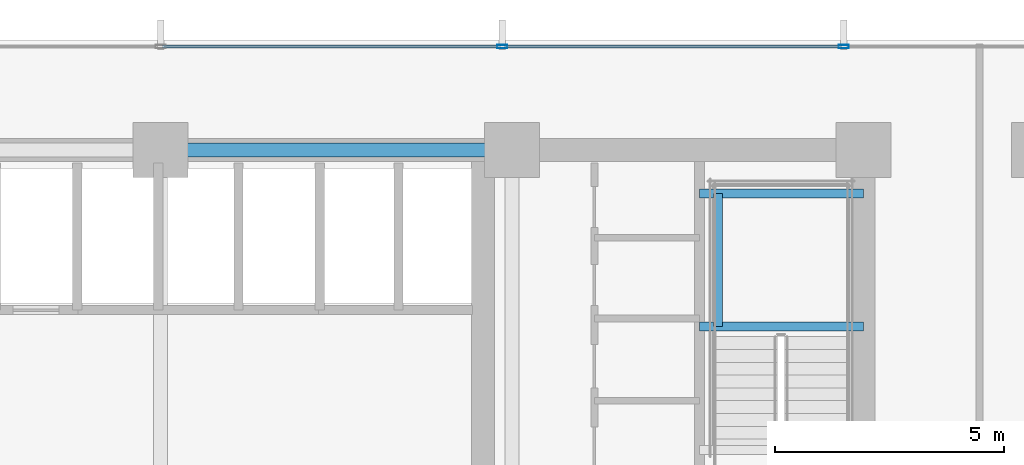
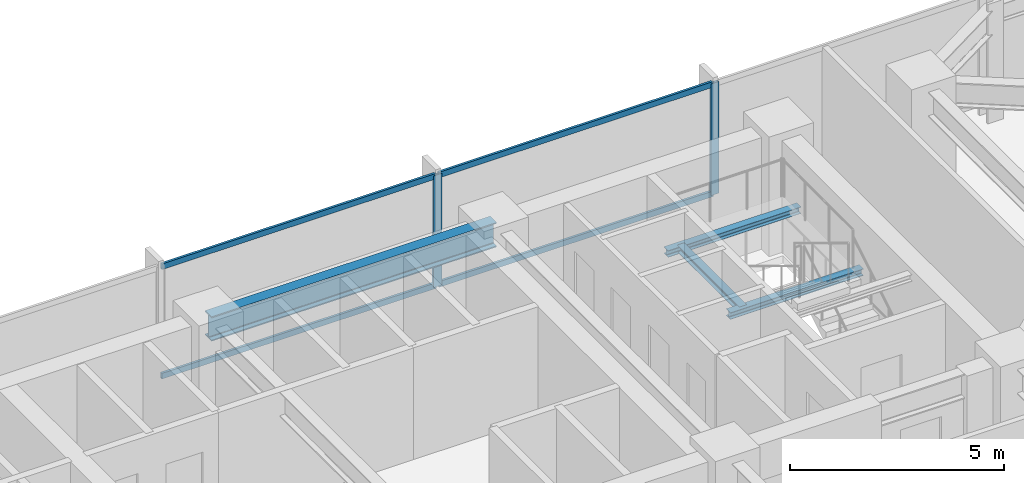
# One storey, part 19 of 32: 6 members, 4 beams, 1 element without a shape of its own.
"""IFC4 building model written with IfcOpenShell, lengths in metres."""

from ifc_helpers import new_model, si_unit, direction, frame, origin, origin_2d, place, context, subcontext, project, spatial, hollow_rectangle, i_section, extrude, material, material_profile, profile_set, type_object, element, aggregate, save


model = new_model("IFC4")

# Units and contexts
model_context = context("Model", 3, precision=1e-05, world=origin(), true_north=direction((0.0, 1.0)))
body_context = subcontext(model_context, "Body", "Model", "MODEL_VIEW")
ifc_project = project(units=[si_unit("LENGTHUNIT", "METRE"), si_unit("AREAUNIT", "SQUARE_METRE"), si_unit("VOLUMEUNIT", "CUBIC_METRE"), si_unit("PLANEANGLEUNIT", "RADIAN"), si_unit("MASSUNIT", "GRAM", prefix="KILO")], contexts=[model_context])

# Site, building, storey
site_placement = place(None, origin())
site = spatial("IfcSite", under=ifc_project, at=site_placement, CompositionType="ELEMENT")
building_placement = place(site_placement, origin())
building = spatial("IfcBuilding", under=site, at=building_placement, Name="Yelkora Congress Tower", CompositionType="ELEMENT")
storey_placement = place(building_placement, frame((0.0, 0.0, 50.800048828125)))
storey = spatial("IfcBuildingStorey", under=building, at=storey_placement, Name="L12", CompositionType="ELEMENT", Elevation=50.800048828125)

# Beams
ifc_material_1 = material(Name="Steel S355J2", Category="steel")
ifc_material_profile_1 = material_profile(ifc_material_1, i_section(OverallWidth=0.300048828125, OverallDepth=0.699951171875, WebThickness=0.01708984375, FlangeThickness=0.031982421875, FilletRadius=0.027099609375, at=origin_2d()), Name="HEB 700")
ifc_profile_set_1 = profile_set([ifc_material_profile_1], Name="Steel S355J2")
beam_type_1 = type_object("IfcBeamType", Name="BM-GIRD-HEB700", PredefinedType="BEAM", material=ifc_profile_set_1)
beam_1_placement = place(storey_placement, frame((38.39990234375, 46.199951171875, 2.829833984375), z_axis=(1.0, 0.0, 0.0), x_axis=(0.0, 1.0, 0.0)))
element("IfcBeam", 1, at=beam_1_placement, inside=storey, type_object=beam_type_1, Name="L12 Core North Girder 4", PredefinedType="BEAM", context=body_context, shape_type="SweptSolid", body=[
    extrude(i_section(OverallWidth=0.300048828125, OverallDepth=0.699951171875, WebThickness=0.01708984375, FlangeThickness=0.031982421875, FilletRadius=0.027099609375, at=origin_2d()), origin(), (0.0, 0.0, 1.0), 7.68017578125),
])
ifc_material_profile_2 = material_profile(ifc_material_1, i_section(OverallWidth=0.199951171875, OverallDepth=0.18994140625, WebThickness=0.006591796875, FlangeThickness=0.010009765625, FilletRadius=0.01806640625, at=origin_2d()), Name="HEA 200")
ifc_profile_set_2 = profile_set([ifc_material_profile_2], Name="Steel S355J2")
beam_type_2 = type_object("IfcBeamType", Name="BM-LAND-HEA200", PredefinedType="BEAM", material=ifc_profile_set_2)
for number, where, z_axis, x_axis, name in (
    (2, (50.179931640625, 42.340087890625, 1.384521484375), (1.0, 0.0, 0.0), (0.0, 1.0, 0.0), "ST-02 L12 Landing Header Beam 1S"),
    (3, (50.179931640625, 45.25, 1.384521484375), (1.0, 0.0, 0.0), (0.0, 1.0, 0.0), "ST-02 L12 Landing Header Beam 1N"),
):
    element("IfcBeam", number, at=place(storey_placement, frame(where, z_axis=z_axis, x_axis=x_axis)), inside=storey, type_object=beam_type_2, Name=name, PredefinedType="BEAM", context=body_context, shape_type="SweptSolid", body=[
        extrude(i_section(OverallWidth=0.199951171875, OverallDepth=0.18994140625, WebThickness=0.006591796875, FlangeThickness=0.010009765625, FilletRadius=0.01806640625, at=origin_2d()), origin(), (0.0, 0.0, 1.0), 3.580078125),
    ])
beam_2_placement = place(storey_placement, frame((50.580078125, 42.340087890625, 1.384521484375), z_axis=(0.0, 1.0, 0.0), x_axis=(-1.0, 0.0, 0.0)))
element("IfcBeam", 4, at=beam_2_placement, inside=storey, type_object=beam_type_2, Name="ST-02 L12 Landing Trimmer Beam 1M", PredefinedType="BEAM", context=body_context, shape_type="SweptSolid", body=[
    extrude(i_section(OverallWidth=0.199951171875, OverallDepth=0.18994140625, WebThickness=0.006591796875, FlangeThickness=0.010009765625, FilletRadius=0.01806640625, at=origin_2d()), origin(), (0.0, 0.0, 1.0), 2.909912109375),
])

# Curtain wall, members
ifc_material_2 = material(Name="Anodised aluminium and insulated glass", Category="aluminium")
curtain_wall_type = type_object("IfcCurtainWallType", Name="CW-SYS-B1", PredefinedType="NOTDEFINED", material=ifc_material_2)
curtain_wall_placement = place(storey_placement, origin())
curtain_wall = element("IfcCurtainWall", 5, at=curtain_wall_placement, inside=storey, type_object=curtain_wall_type, Name="L12 Unitised Curtain Wall 10", PredefinedType="NOTDEFINED")
ifc_material_3 = material(Name="Anodised aluminium 6063-T6", Category="aluminium")
ifc_material_profile_3 = material_profile(ifc_material_3, hollow_rectangle(XDim=0.074951171875, YDim=0.219970703125, WallThickness=0.0048828125, at=origin_2d()), Name="ALU 75x220x5")
ifc_profile_set_3 = profile_set([ifc_material_profile_3], Name="Anodised aluminium 6063-T6")
member_type_1 = type_object("IfcMemberType", Name="MEM-ML-B1", PredefinedType="MULLION", material=ifc_profile_set_3)
member_1_placement = place(storey_placement, frame((45.864990234375, 48.4599609375, 0.0), z_axis=(0.0, 0.0, 1.0), x_axis=(0.0, 1.0, 0.0)))
member_1 = element("IfcMember", 6, at=member_1_placement, type_object=member_type_1, Name="CW-B1 mullion 6", PredefinedType="MULLION", context=body_context, shape_type="SweptSolid", body=[
    extrude(hollow_rectangle(XDim=0.074951171875, YDim=0.219970703125, WallThickness=0.0048828125, at=origin_2d()), origin(), (0.0, 0.0, 1.0), 3.179931640625),
])
member_2_placement = place(storey_placement, frame((53.330078125, 48.4599609375, 0.0), z_axis=(0.0, 0.0, 1.0), x_axis=(0.0, 1.0, 0.0)))
member_2 = element("IfcMember", 7, at=member_2_placement, type_object=member_type_1, Name="CW-B1 mullion 7", PredefinedType="MULLION", context=body_context, shape_type="SweptSolid", body=[
    extrude(hollow_rectangle(XDim=0.074951171875, YDim=0.219970703125, WallThickness=0.0048828125, at=origin_2d()), origin(), (0.0, 0.0, 1.0), 3.179931640625),
])
ifc_material_profile_4 = material_profile(ifc_material_3, hollow_rectangle(XDim=0.06494140625, YDim=0.159912109375, WallThickness=0.00390625, at=origin_2d()), Name="ALU 65x160x4")
ifc_profile_set_4 = profile_set([ifc_material_profile_4], Name="Anodised aluminium 6063-T6")
member_type_2 = type_object("IfcMemberType", Name="MEM-TR-B1", PredefinedType="USERDEFINED", material=ifc_profile_set_4)
member_3_placement = place(storey_placement, frame((38.4375, 48.4599609375, 0.032470703125), z_axis=(1.0, 0.0, 0.0), x_axis=(0.0, 1.0, 0.0)))
member_3 = element("IfcMember", 8, at=member_3_placement, type_object=member_type_2, Name="CW-B1 transom 5.1", ObjectType="TRANSOM", PredefinedType="USERDEFINED", context=body_context, shape_type="SweptSolid", body=[
    extrude(hollow_rectangle(XDim=0.06494140625, YDim=0.159912109375, WallThickness=0.00390625, at=origin_2d()), origin(), (0.0, 0.0, 1.0), 7.389892578125),
])
member_4_placement = place(storey_placement, frame((38.4375, 48.4599609375, 3.1474609375), z_axis=(1.0, 0.0, 0.0), x_axis=(0.0, 1.0, 0.0)))
member_4 = element("IfcMember", 9, at=member_4_placement, type_object=member_type_2, Name="CW-B1 transom 5.2", ObjectType="TRANSOM", PredefinedType="USERDEFINED", context=body_context, shape_type="SweptSolid", body=[
    extrude(hollow_rectangle(XDim=0.06494140625, YDim=0.159912109375, WallThickness=0.00390625, at=origin_2d()), origin(), (0.0, 0.0, 1.0), 7.389892578125),
])
member_5_placement = place(storey_placement, frame((45.902587890625, 48.4599609375, 0.032470703125), z_axis=(1.0, 0.0, 0.0), x_axis=(0.0, 1.0, 0.0)))
member_5 = element("IfcMember", 10, at=member_5_placement, type_object=member_type_2, Name="CW-B1 transom 6.1", ObjectType="TRANSOM", PredefinedType="USERDEFINED", context=body_context, shape_type="SweptSolid", body=[
    extrude(hollow_rectangle(XDim=0.06494140625, YDim=0.159912109375, WallThickness=0.00390625, at=origin_2d()), origin(), (0.0, 0.0, 1.0), 7.389892578125),
])
member_6_placement = place(storey_placement, frame((45.902587890625, 48.4599609375, 3.1474609375), z_axis=(1.0, 0.0, 0.0), x_axis=(0.0, 1.0, 0.0)))
member_6 = element("IfcMember", 11, at=member_6_placement, type_object=member_type_2, Name="CW-B1 transom 6.2", ObjectType="TRANSOM", PredefinedType="USERDEFINED", context=body_context, shape_type="SweptSolid", body=[
    extrude(hollow_rectangle(XDim=0.06494140625, YDim=0.159912109375, WallThickness=0.00390625, at=origin_2d()), origin(), (0.0, 0.0, 1.0), 7.389892578125),
])
aggregate(curtain_wall, [member_1, member_2, member_3, member_4, member_5, member_6])

save(model, "model.ifc")
